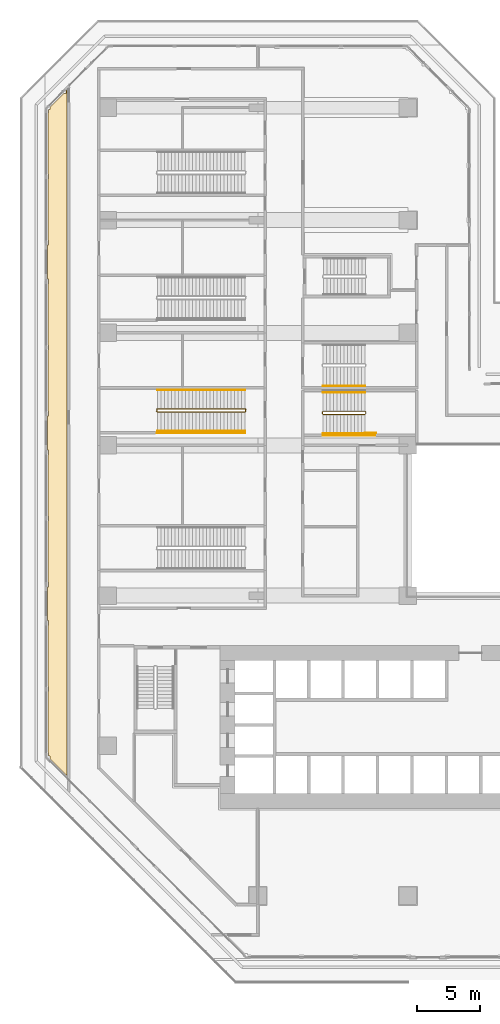
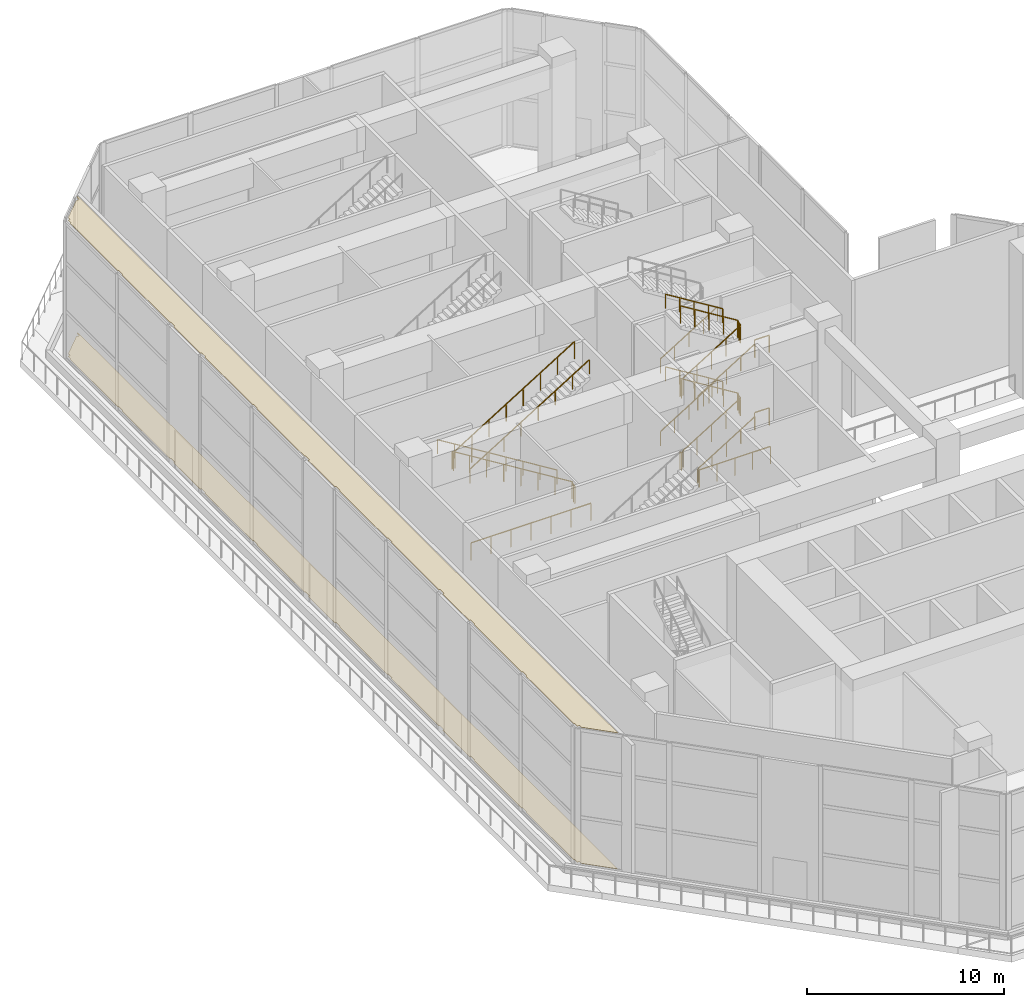
# One storey, part 25 of 28: 14 railings, 2 coverings.
"""IFC4 building model written with IfcOpenShell, lengths in metres."""

from ifc_helpers import new_model, si_unit, direction, frame, origin, origin_2d, place, context, subcontext, project, spatial, polyline, rectangle, outline, extrude, material, layer, layer_set, type_object, element, save


model = new_model("IFC4")

# Units and contexts
model_context = context("Model", 3, precision=1e-05, world=origin(), true_north=direction((0.0, 1.0)))
body_context = subcontext(model_context, "Body", "Model", "MODEL_VIEW")
ifc_project = project(units=[si_unit("LENGTHUNIT", "METRE"), si_unit("AREAUNIT", "SQUARE_METRE"), si_unit("VOLUMEUNIT", "CUBIC_METRE"), si_unit("PLANEANGLEUNIT", "RADIAN"), si_unit("MASSUNIT", "GRAM", prefix="KILO")], contexts=[model_context])

# Site, building, storey
site_placement = place(None, origin())
site = spatial("IfcSite", under=ifc_project, at=site_placement, CompositionType="ELEMENT")
building_placement = place(site_placement, origin())
building = spatial("IfcBuilding", under=site, at=building_placement, Name="Chenar Terraces", CompositionType="ELEMENT")
storey_placement = place(building_placement, frame((0.0, 0.0, 26.39990234375)))
storey = spatial("IfcBuildingStorey", under=building, at=storey_placement, Name="L05", CompositionType="ELEMENT", Elevation=26.39990234375)

# Coverings
ifc_material_1 = material(Name="Mineral fibre acoustic ceiling board")
ifc_layer_1 = layer(ifc_material_1, 0.030029296875)
ifc_layer_set_1 = layer_set([ifc_layer_1], Name="Mineral fibre acoustic ceiling board")
covering_type_1 = type_object("IfcCoveringType", Name="Acoustic board ceiling 30", PredefinedType="CEILING", material=ifc_layer_set_1)
covering_1_placement = place(storey_placement, frame((0.0, 0.0, 8.420166015625)))
element("IfcCovering", 1, at=covering_1_placement, inside=storey, type_object=covering_type_1, Name="Acoustic ceiling", PredefinedType="CEILING", context=body_context, shape_type="SweptSolid", body=[
    extrude(outline(polyline([(-4.800048828125, 24.707763671875), (-4.72509765625, 24.707763671875), (-4.72509765625, 25.107666015625), (-4.77490234375, 25.107666015625), (-4.77490234375, 29.97509765625), (-4.72509765625, 29.97509765625), (-4.72509765625, 30.375), (-4.77490234375, 30.375), (-4.77490234375, 35.242431640625), (-4.72509765625, 35.242431640625), (-4.72509765625, 35.642578125), (-4.800048828125, 35.642578125), (-4.800048828125, 38.357421875), (-4.72509765625, 38.357421875), (-4.72509765625, 38.757568359375), (-4.77490234375, 38.757568359375), (-4.77490234375, 43.625), (-4.72509765625, 43.625), (-4.72509765625, 44.02490234375), (-4.77490234375, 44.02490234375), (-4.77490234375, 48.892333984375), (-4.72509765625, 48.892333984375), (-4.72509765625, 49.292236328125), (-4.800048828125, 49.292236328125), (-4.800048828125, 52.00732421875), (-4.72509765625, 52.00732421875), (-4.72509765625, 52.4072265625), (-4.77490234375, 52.4072265625), (-4.77490234375, 57.281005859375), (-4.72509765625, 57.281005859375), (-4.72509765625, 57.680908203125), (-4.77490234375, 57.680908203125), (-4.77490234375, 62.5546875), (-4.72509765625, 62.5546875), (-4.72509765625, 62.83447265625), (-4.609130859375, 62.83447265625), (-4.609130859375, 63.0224609375), (-3.510986328125, 64.120361328125), (-3.3232421875, 64.120361328125), (-3.3232421875, 64.34375), (-3.25, 64.416748046875), (-3.25, 9.618408203125), (-4.609130859375, 10.9775390625), (-4.609130859375, 11.16552734375), (-4.72509765625, 11.16552734375), (-4.72509765625, 11.4453125), (-4.77490234375, 11.4453125), (-4.77490234375, 16.319091796875), (-4.72509765625, 16.319091796875), (-4.72509765625, 16.718994140625), (-4.77490234375, 16.718994140625), (-4.77490234375, 21.5927734375), (-4.72509765625, 21.5927734375), (-4.72509765625, 21.99267578125), (-4.800048828125, 21.99267578125), (-4.800048828125, 24.707763671875)])), origin(), (0.0, 0.0, 1.0), 0.030029296875),
])
ifc_material_2 = material(Name="Honed limestone floor finish", Category="masonry")
ifc_layer_2 = layer(ifc_material_2, 0.02001953125)
ifc_layer_set_2 = layer_set([ifc_layer_2], Name="Honed limestone floor finish")
covering_type_2 = type_object("IfcCoveringType", Name="Limestone floor finish 20", PredefinedType="FLOORING", material=ifc_layer_set_2)
covering_2_placement = place(storey_placement, origin())
element("IfcCovering", 2, at=covering_2_placement, inside=storey, type_object=covering_type_2, Name="Limestone floor finish", PredefinedType="FLOORING", context=body_context, shape_type="SweptSolid", body=[
    extrude(outline(polyline([(-4.800048828125, 24.707763671875), (-4.72509765625, 24.707763671875), (-4.72509765625, 25.107666015625), (-4.77490234375, 25.107666015625), (-4.77490234375, 29.97509765625), (-4.72509765625, 29.97509765625), (-4.72509765625, 30.375), (-4.77490234375, 30.375), (-4.77490234375, 35.242431640625), (-4.72509765625, 35.242431640625), (-4.72509765625, 35.642578125), (-4.800048828125, 35.642578125), (-4.800048828125, 38.357421875), (-4.72509765625, 38.357421875), (-4.72509765625, 38.757568359375), (-4.77490234375, 38.757568359375), (-4.77490234375, 43.625), (-4.72509765625, 43.625), (-4.72509765625, 44.02490234375), (-4.77490234375, 44.02490234375), (-4.77490234375, 48.892333984375), (-4.72509765625, 48.892333984375), (-4.72509765625, 49.292236328125), (-4.800048828125, 49.292236328125), (-4.800048828125, 52.00732421875), (-4.72509765625, 52.00732421875), (-4.72509765625, 52.4072265625), (-4.77490234375, 52.4072265625), (-4.77490234375, 57.281005859375), (-4.72509765625, 57.281005859375), (-4.72509765625, 57.680908203125), (-4.77490234375, 57.680908203125), (-4.77490234375, 62.5546875), (-4.72509765625, 62.5546875), (-4.72509765625, 62.83447265625), (-4.609130859375, 62.83447265625), (-4.609130859375, 63.0224609375), (-3.510986328125, 64.120361328125), (-3.3232421875, 64.120361328125), (-3.3232421875, 64.34375), (-3.25, 64.416748046875), (-3.25, 9.618408203125), (-4.609130859375, 10.9775390625), (-4.609130859375, 11.16552734375), (-4.72509765625, 11.16552734375), (-4.72509765625, 11.4453125), (-4.77490234375, 11.4453125), (-4.77490234375, 16.319091796875), (-4.72509765625, 16.319091796875), (-4.72509765625, 16.718994140625), (-4.77490234375, 16.718994140625), (-4.77490234375, 21.5927734375), (-4.72509765625, 21.5927734375), (-4.72509765625, 21.99267578125), (-4.800048828125, 21.99267578125), (-4.800048828125, 24.707763671875)])), origin(), (0.0, 0.0, 1.0), 0.02001953125),
])

# Railings
ifc_material_3 = material(Name="Powder-coated steel", Category="steel")
railing_type_1 = type_object("IfcRailingType", Name="Stair guard 1100", PredefinedType="GUARDRAIL", material=ifc_material_3)
railing_1_placement = place(storey_placement, frame((17.215087890625, 38.72509765625, 9.0)))
element("IfcRailing", 3, at=railing_1_placement, inside=storey, type_object=railing_type_1, Name="L05 PS7 stair guard 1", PredefinedType="GUARDRAIL", context=body_context, shape_type="SweptSolid", body=[
    extrude(rectangle(XDim=0.048095703125, YDim=0.048095703125, at=origin_2d()), frame((0.0, 0.0, 1.076171875), z_axis=(0.850606129759, 0.0, -0.525803396734), x_axis=(0.0, 1.0, 0.0)), (0.0, 0.0, 1.0), 3.949951171875),
    extrude(rectangle(XDim=0.048095703125, YDim=0.048095703125, at=origin_2d()), frame((3.35986328125, 0.0, -1.0009765625), z_axis=(0.267629722418, -0.267629722418, -0.925607186314), x_axis=(0.707106781187, 0.707106781187, 0.0)), (0.0, 0.0, 1.0), 0.18701171875),
    extrude(rectangle(XDim=0.048095703125, YDim=0.048095703125, at=origin_2d()), frame((3.409912109375, -0.050048828125, -1.173828125), z_axis=(0.0, -1.0, 0.0), x_axis=(1.0, 0.0, 0.0)), (0.0, 0.0, 1.0), 0.150146484375),
    extrude(rectangle(XDim=0.048095703125, YDim=0.048095703125, at=origin_2d()), frame((3.409912109375, -0.2001953125, -1.173828125), z_axis=(-0.708833529934, -0.705375805398, 0.0), x_axis=(0.705375805398, -0.708833529934, 0.0)), (0.0, 0.0, 1.0), 0.070556640625),
    extrude(rectangle(XDim=0.048095703125, YDim=0.048095703125, at=origin_2d()), frame((3.35986328125, -0.25, -1.173828125), z_axis=(-0.850606129759, 0.0, -0.525803396734), x_axis=(0.0, -1.0, 0.0)), (0.0, 0.0, 1.0), 3.949951171875),
    extrude(rectangle(XDim=0.048095703125, YDim=0.048095703125, at=origin_2d()), frame((0.0, -0.25, -3.2509765625), z_axis=(-0.185944045274, 0.742869136974, -0.643094283413), x_axis=(-0.970072785993, -0.242814311512, 0.0)), (0.0, 0.0, 1.0), 0.26904296875),
    extrude(rectangle(XDim=0.048095703125, YDim=0.048095703125, at=origin_2d()), frame((-0.050048828125, -0.050048828125, -3.423828125), z_axis=(0.0, -1.0, 0.0), x_axis=(1.0, 0.0, 0.0)), (0.0, 0.0, 1.0), 0.150146484375),
    extrude(rectangle(XDim=0.048095703125, YDim=0.048095703125, at=origin_2d()), frame((-0.050048828125, -0.2001953125, -3.423828125), z_axis=(0.242535625036, 0.970142500145, 0.0), x_axis=(-0.970142500145, 0.242535625036, 0.0)), (0.0, 0.0, 1.0), 0.206298828125),
    extrude(rectangle(XDim=0.048095703125, YDim=0.048095703125, at=origin_2d()), frame((0.0, 0.0, -3.423828125), z_axis=(0.850606129759, 0.0, -0.525803396734), x_axis=(0.0, 1.0, 0.0)), (0.0, 0.0, 1.0), 3.949951171875),
    extrude(rectangle(XDim=0.048095703125, YDim=0.048095703125, at=origin_2d()), frame((3.35986328125, 0.0, -5.5009765625), z_axis=(0.267629722418, -0.267629722418, -0.925607186314), x_axis=(0.707106781187, 0.707106781187, 0.0)), (0.0, 0.0, 1.0), 0.18701171875),
    extrude(rectangle(XDim=0.048095703125, YDim=0.048095703125, at=origin_2d()), frame((3.409912109375, -0.050048828125, -5.673828125), z_axis=(0.0, -1.0, 0.0), x_axis=(1.0, 0.0, 0.0)), (0.0, 0.0, 1.0), 0.150146484375),
    extrude(rectangle(XDim=0.048095703125, YDim=0.048095703125, at=origin_2d()), frame((3.409912109375, -0.2001953125, -5.673828125), z_axis=(-0.708833529934, -0.705375805398, 0.0), x_axis=(0.705375805398, -0.708833529934, 0.0)), (0.0, 0.0, 1.0), 0.070556640625),
    extrude(rectangle(XDim=0.048095703125, YDim=0.048095703125, at=origin_2d()), frame((3.35986328125, -0.25, -5.673828125), z_axis=(-0.850606129759, 0.0, -0.525803396734), x_axis=(0.0, -1.0, 0.0)), (0.0, 0.0, 1.0), 3.949951171875),
    extrude(rectangle(XDim=0.048095703125, YDim=0.048095703125, at=origin_2d()), frame((0.0, -0.25, -7.7509765625), z_axis=(-0.267723051232, 0.266417085129, -0.925929967433), x_axis=(-0.705375805398, -0.708833529934, 0.0)), (0.0, 0.0, 1.0), 0.18701171875),
    extrude(rectangle(XDim=0.048095703125, YDim=0.048095703125, at=origin_2d()), frame((-0.050048828125, -0.2001953125, -7.923828125), z_axis=(0.0, 1.0, 0.0), x_axis=(-1.0, 0.0, 0.0)), (0.0, 0.0, 1.0), 0.150146484375),
    extrude(rectangle(XDim=0.0419921875, YDim=0.0419921875, at=origin_2d()), origin(), (0.0, 0.0, 1.0), 1.052001953125),
    extrude(rectangle(XDim=0.0419921875, YDim=0.0419921875, at=origin_2d()), frame((0.83984375, 0.0, -0.519287109375)), (0.0, 0.0, 1.0), 1.052001953125),
    extrude(rectangle(XDim=0.0419921875, YDim=0.0419921875, at=origin_2d()), frame((1.679931640625, 0.0, -1.03857421875)), (0.0, 0.0, 1.0), 1.052001953125),
    extrude(rectangle(XDim=0.0419921875, YDim=0.0419921875, at=origin_2d()), frame((2.52001953125, 0.0, -1.5576171875)), (0.0, 0.0, 1.0), 1.052001953125),
    extrude(rectangle(XDim=0.0419921875, YDim=0.0419921875, at=origin_2d()), frame((3.35986328125, 0.0, -2.076904296875)), (0.0, 0.0, 1.0), 1.052001953125),
    extrude(rectangle(XDim=0.0419921875, YDim=0.0419921875, at=origin_2d()), frame((3.409912109375, -0.050048828125, -2.25)), (0.0, 0.0, 1.0), 1.052001953125),
    extrude(rectangle(XDim=0.0419921875, YDim=0.0419921875, at=origin_2d()), frame((3.409912109375, -0.2001953125, -2.25)), (0.0, 0.0, 1.0), 1.052001953125),
    extrude(rectangle(XDim=0.0419921875, YDim=0.0419921875, at=origin_2d()), frame((3.35986328125, -0.25, -2.25)), (0.0, 0.0, 1.0), 1.052001953125),
    extrude(rectangle(XDim=0.0419921875, YDim=0.0419921875, at=origin_2d()), frame((2.52001953125, -0.25, -2.769287109375)), (0.0, 0.0, 1.0), 1.052001953125),
    extrude(rectangle(XDim=0.0419921875, YDim=0.0419921875, at=origin_2d()), frame((1.679931640625, -0.25, -3.28857421875)), (0.0, 0.0, 1.0), 1.052001953125),
    extrude(rectangle(XDim=0.0419921875, YDim=0.0419921875, at=origin_2d()), frame((0.83984375, -0.25, -3.8076171875)), (0.0, 0.0, 1.0), 1.052001953125),
    extrude(rectangle(XDim=0.0419921875, YDim=0.0419921875, at=origin_2d()), frame((0.0, -0.25, -4.326904296875)), (0.0, 0.0, 1.0), 1.052001953125),
    extrude(rectangle(XDim=0.0419921875, YDim=0.0419921875, at=origin_2d()), frame((-0.050048828125, -0.050048828125, -4.5)), (0.0, 0.0, 1.0), 1.052001953125),
    extrude(rectangle(XDim=0.0419921875, YDim=0.0419921875, at=origin_2d()), frame((-0.050048828125, -0.2001953125, -4.5)), (0.0, 0.0, 1.0), 1.052001953125),
    extrude(rectangle(XDim=0.0419921875, YDim=0.0419921875, at=origin_2d()), frame((0.0, 0.0, -4.5)), (0.0, 0.0, 1.0), 1.052001953125),
    extrude(rectangle(XDim=0.0419921875, YDim=0.0419921875, at=origin_2d()), frame((0.83984375, 0.0, -5.019287109375)), (0.0, 0.0, 1.0), 1.052001953125),
    extrude(rectangle(XDim=0.0419921875, YDim=0.0419921875, at=origin_2d()), frame((1.679931640625, 0.0, -5.53857421875)), (0.0, 0.0, 1.0), 1.052001953125),
    extrude(rectangle(XDim=0.0419921875, YDim=0.0419921875, at=origin_2d()), frame((2.52001953125, 0.0, -6.0576171875)), (0.0, 0.0, 1.0), 1.052001953125),
    extrude(rectangle(XDim=0.0419921875, YDim=0.0419921875, at=origin_2d()), frame((3.35986328125, 0.0, -6.576904296875)), (0.0, 0.0, 1.0), 1.052001953125),
    extrude(rectangle(XDim=0.0419921875, YDim=0.0419921875, at=origin_2d()), frame((3.409912109375, -0.050048828125, -6.75)), (0.0, 0.0, 1.0), 1.052001953125),
    extrude(rectangle(XDim=0.0419921875, YDim=0.0419921875, at=origin_2d()), frame((3.409912109375, -0.2001953125, -6.75)), (0.0, 0.0, 1.0), 1.052001953125),
    extrude(rectangle(XDim=0.0419921875, YDim=0.0419921875, at=origin_2d()), frame((3.35986328125, -0.25, -6.75)), (0.0, 0.0, 1.0), 1.052001953125),
    extrude(rectangle(XDim=0.0419921875, YDim=0.0419921875, at=origin_2d()), frame((2.52001953125, -0.25, -7.269287109375)), (0.0, 0.0, 1.0), 1.052001953125),
    extrude(rectangle(XDim=0.0419921875, YDim=0.0419921875, at=origin_2d()), frame((1.679931640625, -0.25, -7.78857421875)), (0.0, 0.0, 1.0), 1.052001953125),
    extrude(rectangle(XDim=0.0419921875, YDim=0.0419921875, at=origin_2d()), frame((0.83984375, -0.25, -8.3076171875)), (0.0, 0.0, 1.0), 1.052001953125),
    extrude(rectangle(XDim=0.0419921875, YDim=0.0419921875, at=origin_2d()), frame((0.0, -0.25, -8.826904296875)), (0.0, 0.0, 1.0), 1.052001953125),
    extrude(rectangle(XDim=0.0419921875, YDim=0.0419921875, at=origin_2d()), frame((-0.050048828125, -0.2001953125, -9.0)), (0.0, 0.0, 1.0), 1.052001953125),
    extrude(rectangle(XDim=0.0419921875, YDim=0.0419921875, at=origin_2d()), frame((-0.050048828125, -0.050048828125, -9.0)), (0.0, 0.0, 1.0), 1.052001953125),
])
railing_2_placement = place(storey_placement, frame((10.985107421875, 38.675048828125, 9.0)))
element("IfcRailing", 4, at=railing_2_placement, inside=storey, type_object=railing_type_1, Name="L05 PS9 stair guard 1", PredefinedType="GUARDRAIL", context=body_context, shape_type="SweptSolid", body=[
    extrude(rectangle(XDim=0.048095703125, YDim=0.048095703125, at=origin_2d()), frame((0.0, 0.0, 1.076171875), z_axis=(-0.850614592968, 0.0, -0.525789705328), x_axis=(0.0, -1.0, 0.0)), (0.0, 0.0, 1.0), 8.229248046875),
    extrude(rectangle(XDim=0.048095703125, YDim=0.048095703125, at=origin_2d()), frame((-7.0, 0.0, -3.2509765625), z_axis=(-0.267629722418, 0.267629722418, -0.925607186314), x_axis=(-0.707106781187, -0.707106781187, 0.0)), (0.0, 0.0, 1.0), 0.18701171875),
    extrude(rectangle(XDim=0.048095703125, YDim=0.048095703125, at=origin_2d()), frame((-7.050048828125, 0.050048828125, -3.423828125), z_axis=(0.0, 1.0, 0.0), x_axis=(-1.0, 0.0, 0.0)), (0.0, 0.0, 1.0), 0.14990234375),
    extrude(rectangle(XDim=0.048095703125, YDim=0.048095703125, at=origin_2d()), frame((-7.050048828125, 0.199951171875, -3.423828125), z_axis=(0.707106781187, 0.707106781187, 0.0), x_axis=(-0.707106781187, 0.707106781187, 0.0)), (0.0, 0.0, 1.0), 0.07080078125),
    extrude(rectangle(XDim=0.048095703125, YDim=0.048095703125, at=origin_2d()), frame((-7.0, 0.25, -3.423828125), z_axis=(0.850614592968, 0.0, -0.525789705328), x_axis=(0.0, 1.0, 0.0)), (0.0, 0.0, 1.0), 8.229248046875),
    extrude(rectangle(XDim=0.048095703125, YDim=0.048095703125, at=origin_2d()), frame((0.0, 0.25, -7.7509765625), z_axis=(0.266417085129, -0.267723051232, -0.925929967433), x_axis=(0.708833529934, 0.705375805398, 0.0)), (0.0, 0.0, 1.0), 0.18701171875),
    extrude(rectangle(XDim=0.048095703125, YDim=0.048095703125, at=origin_2d()), frame((0.0498046875, 0.199951171875, -7.923828125), z_axis=(0.0, -1.0, 0.0), x_axis=(1.0, 0.0, 0.0)), (0.0, 0.0, 1.0), 0.14990234375),
    extrude(rectangle(XDim=0.0419921875, YDim=0.0419921875, at=origin_2d()), origin(), (0.0, 0.0, 1.0), 1.052001953125),
    extrude(rectangle(XDim=0.0419921875, YDim=0.0419921875, at=origin_2d()), frame((-1.0, 0.0, -0.6181640625)), (0.0, 0.0, 1.0), 1.052001953125),
    extrude(rectangle(XDim=0.0419921875, YDim=0.0419921875, at=origin_2d()), frame((-2.0, 0.0, -1.236328125)), (0.0, 0.0, 1.0), 1.052001953125),
    extrude(rectangle(XDim=0.0419921875, YDim=0.0419921875, at=origin_2d()), frame((-3.0, 0.0, -1.8544921875)), (0.0, 0.0, 1.0), 1.052001953125),
    extrude(rectangle(XDim=0.0419921875, YDim=0.0419921875, at=origin_2d()), frame((-4.0, 0.0, -2.472412109375)), (0.0, 0.0, 1.0), 1.052001953125),
    extrude(rectangle(XDim=0.0419921875, YDim=0.0419921875, at=origin_2d()), frame((-5.0, 0.0, -3.090576171875)), (0.0, 0.0, 1.0), 1.052001953125),
    extrude(rectangle(XDim=0.0419921875, YDim=0.0419921875, at=origin_2d()), frame((-6.0, 0.0, -3.708740234375)), (0.0, 0.0, 1.0), 1.052001953125),
    extrude(rectangle(XDim=0.0419921875, YDim=0.0419921875, at=origin_2d()), frame((-7.0, 0.0, -4.326904296875)), (0.0, 0.0, 1.0), 1.052001953125),
    extrude(rectangle(XDim=0.0419921875, YDim=0.0419921875, at=origin_2d()), frame((-7.050048828125, 0.050048828125, -4.5)), (0.0, 0.0, 1.0), 1.052001953125),
    extrude(rectangle(XDim=0.0419921875, YDim=0.0419921875, at=origin_2d()), frame((-7.050048828125, 0.199951171875, -4.5)), (0.0, 0.0, 1.0), 1.052001953125),
    extrude(rectangle(XDim=0.0419921875, YDim=0.0419921875, at=origin_2d()), frame((-7.0, 0.25, -4.5)), (0.0, 0.0, 1.0), 1.052001953125),
    extrude(rectangle(XDim=0.0419921875, YDim=0.0419921875, at=origin_2d()), frame((-6.0, 0.25, -5.1181640625)), (0.0, 0.0, 1.0), 1.052001953125),
    extrude(rectangle(XDim=0.0419921875, YDim=0.0419921875, at=origin_2d()), frame((-5.0, 0.25, -5.736328125)), (0.0, 0.0, 1.0), 1.052001953125),
    extrude(rectangle(XDim=0.0419921875, YDim=0.0419921875, at=origin_2d()), frame((-4.0, 0.25, -6.3544921875)), (0.0, 0.0, 1.0), 1.052001953125),
    extrude(rectangle(XDim=0.0419921875, YDim=0.0419921875, at=origin_2d()), frame((-3.0, 0.25, -6.972412109375)), (0.0, 0.0, 1.0), 1.052001953125),
    extrude(rectangle(XDim=0.0419921875, YDim=0.0419921875, at=origin_2d()), frame((-2.0, 0.25, -7.590576171875)), (0.0, 0.0, 1.0), 1.052001953125),
    extrude(rectangle(XDim=0.0419921875, YDim=0.0419921875, at=origin_2d()), frame((-1.0, 0.25, -8.208740234375)), (0.0, 0.0, 1.0), 1.052001953125),
    extrude(rectangle(XDim=0.0419921875, YDim=0.0419921875, at=origin_2d()), frame((0.0, 0.25, -8.826904296875)), (0.0, 0.0, 1.0), 1.052001953125),
    extrude(rectangle(XDim=0.0419921875, YDim=0.0419921875, at=origin_2d()), frame((0.0498046875, 0.199951171875, -9.0)), (0.0, 0.0, 1.0), 1.052001953125),
    extrude(rectangle(XDim=0.0419921875, YDim=0.0419921875, at=origin_2d()), frame((0.0498046875, 0.050048828125, -9.0)), (0.0, 0.0, 1.0), 1.052001953125),
])
railing_3_placement = place(storey_placement, frame((17.215087890625, 36.81005859375, 0.0)))
element("IfcRailing", 5, at=railing_3_placement, inside=storey, type_object=railing_type_1, Name="L05 PS7 stair guard 101", PredefinedType="GUARDRAIL", context=body_context, shape_type="SweptSolid", body=[
    extrude(rectangle(XDim=0.048095703125, YDim=0.048095703125, at=origin_2d()), frame((0.0, 0.0, 1.076171875), z_axis=(1.0, 0.0, 0.0), x_axis=(0.0, 1.0, 0.0)), (0.0, 0.0, 1.0), 4.169189453125),
    extrude(rectangle(XDim=0.0419921875, YDim=0.0419921875, at=origin_2d()), origin(), (0.0, 0.0, 1.0), 1.052001953125),
    extrude(rectangle(XDim=0.0419921875, YDim=0.0419921875, at=origin_2d()), frame((1.042236328125, 0.0, 0.0)), (0.0, 0.0, 1.0), 1.052001953125),
    extrude(rectangle(XDim=0.0419921875, YDim=0.0419921875, at=origin_2d()), frame((2.08447265625, 0.0, 0.0)), (0.0, 0.0, 1.0), 1.052001953125),
    extrude(rectangle(XDim=0.0419921875, YDim=0.0419921875, at=origin_2d()), frame((3.126953125, 0.0, 0.0)), (0.0, 0.0, 1.0), 1.052001953125),
    extrude(rectangle(XDim=0.0419921875, YDim=0.0419921875, at=origin_2d()), frame((4.169189453125, 0.0, 0.0)), (0.0, 0.0, 1.0), 1.052001953125),
])
railing_4_placement = place(storey_placement, frame((3.964111328125, 37.010009765625, 0.0)))
element("IfcRailing", 6, at=railing_4_placement, inside=storey, type_object=railing_type_1, Name="L05 PS9 stair guard 101", PredefinedType="GUARDRAIL", context=body_context, shape_type="SweptSolid", body=[
    extrude(rectangle(XDim=0.048095703125, YDim=0.048095703125, at=origin_2d()), frame((0.0, 0.0, 1.076171875), z_axis=(1.0, 0.0, 0.0), x_axis=(0.0, 1.0, 0.0)), (0.0, 0.0, 1.0), 7.02099609375),
    extrude(rectangle(XDim=0.0419921875, YDim=0.0419921875, at=origin_2d()), origin(), (0.0, 0.0, 1.0), 1.052001953125),
    extrude(rectangle(XDim=0.0419921875, YDim=0.0419921875, at=origin_2d()), frame((1.170166015625, 0.0, 0.0)), (0.0, 0.0, 1.0), 1.052001953125),
    extrude(rectangle(XDim=0.0419921875, YDim=0.0419921875, at=origin_2d()), frame((2.34033203125, 0.0, 0.0)), (0.0, 0.0, 1.0), 1.052001953125),
    extrude(rectangle(XDim=0.0419921875, YDim=0.0419921875, at=origin_2d()), frame((3.510498046875, 0.0, 0.0)), (0.0, 0.0, 1.0), 1.052001953125),
    extrude(rectangle(XDim=0.0419921875, YDim=0.0419921875, at=origin_2d()), frame((4.6806640625, 0.0, 0.0)), (0.0, 0.0, 1.0), 1.052001953125),
    extrude(rectangle(XDim=0.0419921875, YDim=0.0419921875, at=origin_2d()), frame((5.850830078125, 0.0, 0.0)), (0.0, 0.0, 1.0), 1.052001953125),
    extrude(rectangle(XDim=0.0419921875, YDim=0.0419921875, at=origin_2d()), frame((7.02099609375, 0.0, 0.0)), (0.0, 0.0, 1.0), 1.052001953125),
])
for number, where, name in (
    (7, (20.574951171875, 37.010009765625, 2.25), "L05 PS7 stair guard 201"),
    (8, (20.574951171875, 37.010009765625, 6.75), "L05 PS7 stair guard 202"),
):
    element("IfcRailing", number, at=place(storey_placement, frame(where)), inside=storey, type_object=railing_type_1, Name=name, PredefinedType="GUARDRAIL", context=body_context, shape_type="SweptSolid", body=[
        extrude(rectangle(XDim=0.048095703125, YDim=0.048095703125, at=origin_2d()), frame((0.0, 0.0, 1.076171875), z_axis=(1.0, 0.0, 0.0), x_axis=(0.0, 1.0, 0.0)), (0.0, 0.0, 1.0), 0.85498046875),
        extrude(rectangle(XDim=0.0419921875, YDim=0.0419921875, at=origin_2d()), origin(), (0.0, 0.0, 1.0), 1.052001953125),
        extrude(rectangle(XDim=0.0419921875, YDim=0.0419921875, at=origin_2d()), frame((0.85498046875, 0.0, 0.0)), (0.0, 0.0, 1.0), 1.052001953125),
    ])
ifc_material_4 = material(Name="Powder-coated steel", Category="steel")
railing_type_2 = type_object("IfcRailingType", Name="Stair handrail 900", PredefinedType="HANDRAIL", material=ifc_material_4)
railing_5_placement = place(storey_placement, frame((17.215087890625, 36.9599609375, 0.173095703125)))
element("IfcRailing", 9, at=railing_5_placement, inside=storey, type_object=railing_type_2, Name="L05 PS7 stair handrail 1", PredefinedType="HANDRAIL", context=body_context, shape_type="SweptSolid", body=[
    extrude(rectangle(XDim=0.048095703125, YDim=0.048095703125, at=origin_2d()), frame((0.0, 0.0, 0.8759765625), z_axis=(0.850606129759, 0.0, 0.525803396734), x_axis=(0.0, 1.0, 0.0)), (0.0, 0.0, 1.0), 3.949951171875),
    extrude(rectangle(XDim=0.0419921875, YDim=0.0419921875, at=origin_2d()), origin(), (0.0, 0.0, 1.0), 0.851806640625),
    extrude(rectangle(XDim=0.0419921875, YDim=0.0419921875, at=origin_2d()), frame((0.83984375, 0.0, 0.519287109375)), (0.0, 0.0, 1.0), 0.851806640625),
    extrude(rectangle(XDim=0.0419921875, YDim=0.0419921875, at=origin_2d()), frame((1.679931640625, 0.0, 1.03857421875)), (0.0, 0.0, 1.0), 0.851806640625),
    extrude(rectangle(XDim=0.0419921875, YDim=0.0419921875, at=origin_2d()), frame((2.52001953125, 0.0, 1.5576171875)), (0.0, 0.0, 1.0), 0.851806640625),
    extrude(rectangle(XDim=0.0419921875, YDim=0.0419921875, at=origin_2d()), frame((3.35986328125, 0.0, 2.076904296875)), (0.0, 0.0, 1.0), 0.851806640625),
])
railing_6_placement = place(storey_placement, frame((20.574951171875, 40.239990234375, 2.423095703125)))
element("IfcRailing", 10, at=railing_6_placement, inside=storey, type_object=railing_type_2, Name="L05 PS7 stair handrail 2", PredefinedType="HANDRAIL", context=body_context, shape_type="SweptSolid", body=[
    extrude(rectangle(XDim=0.048095703125, YDim=0.048095703125, at=origin_2d()), frame((0.0, 0.0, 0.8759765625), z_axis=(-0.850606129759, 0.0, 0.525803396734), x_axis=(0.0, -1.0, 0.0)), (0.0, 0.0, 1.0), 3.949951171875),
    extrude(rectangle(XDim=0.0419921875, YDim=0.0419921875, at=origin_2d()), origin(), (0.0, 0.0, 1.0), 0.851806640625),
    extrude(rectangle(XDim=0.0419921875, YDim=0.0419921875, at=origin_2d()), frame((-0.83984375, 0.0, 0.519287109375)), (0.0, 0.0, 1.0), 0.851806640625),
    extrude(rectangle(XDim=0.0419921875, YDim=0.0419921875, at=origin_2d()), frame((-1.679931640625, 0.0, 1.03857421875)), (0.0, 0.0, 1.0), 0.851806640625),
    extrude(rectangle(XDim=0.0419921875, YDim=0.0419921875, at=origin_2d()), frame((-2.52001953125, 0.0, 1.5576171875)), (0.0, 0.0, 1.0), 0.851806640625),
    extrude(rectangle(XDim=0.0419921875, YDim=0.0419921875, at=origin_2d()), frame((-3.35986328125, 0.0, 2.076904296875)), (0.0, 0.0, 1.0), 0.851806640625),
])
railing_7_placement = place(storey_placement, frame((17.215087890625, 36.9599609375, 4.673095703125)))
element("IfcRailing", 11, at=railing_7_placement, inside=storey, type_object=railing_type_2, Name="L05 PS7 stair handrail 3", PredefinedType="HANDRAIL", context=body_context, shape_type="SweptSolid", body=[
    extrude(rectangle(XDim=0.048095703125, YDim=0.048095703125, at=origin_2d()), frame((0.0, 0.0, 0.8759765625), z_axis=(0.850606129759, 0.0, 0.525803396734), x_axis=(0.0, 1.0, 0.0)), (0.0, 0.0, 1.0), 3.949951171875),
    extrude(rectangle(XDim=0.0419921875, YDim=0.0419921875, at=origin_2d()), origin(), (0.0, 0.0, 1.0), 0.851806640625),
    extrude(rectangle(XDim=0.0419921875, YDim=0.0419921875, at=origin_2d()), frame((0.83984375, 0.0, 0.519287109375)), (0.0, 0.0, 1.0), 0.851806640625),
    extrude(rectangle(XDim=0.0419921875, YDim=0.0419921875, at=origin_2d()), frame((1.679931640625, 0.0, 1.03857421875)), (0.0, 0.0, 1.0), 0.851806640625),
    extrude(rectangle(XDim=0.0419921875, YDim=0.0419921875, at=origin_2d()), frame((2.52001953125, 0.0, 1.5576171875)), (0.0, 0.0, 1.0), 0.851806640625),
    extrude(rectangle(XDim=0.0419921875, YDim=0.0419921875, at=origin_2d()), frame((3.35986328125, 0.0, 2.076904296875)), (0.0, 0.0, 1.0), 0.851806640625),
])
railing_8_placement = place(storey_placement, frame((20.574951171875, 40.239990234375, 6.923095703125)))
element("IfcRailing", 12, at=railing_8_placement, inside=storey, type_object=railing_type_2, Name="L05 PS7 stair handrail 4", PredefinedType="HANDRAIL", context=body_context, shape_type="SweptSolid", body=[
    extrude(rectangle(XDim=0.048095703125, YDim=0.048095703125, at=origin_2d()), frame((0.0, 0.0, 0.8759765625), z_axis=(-0.850606129759, 0.0, 0.525803396734), x_axis=(0.0, -1.0, 0.0)), (0.0, 0.0, 1.0), 3.949951171875),
    extrude(rectangle(XDim=0.0419921875, YDim=0.0419921875, at=origin_2d()), origin(), (0.0, 0.0, 1.0), 0.851806640625),
    extrude(rectangle(XDim=0.0419921875, YDim=0.0419921875, at=origin_2d()), frame((-0.83984375, 0.0, 0.519287109375)), (0.0, 0.0, 1.0), 0.851806640625),
    extrude(rectangle(XDim=0.0419921875, YDim=0.0419921875, at=origin_2d()), frame((-1.679931640625, 0.0, 1.03857421875)), (0.0, 0.0, 1.0), 0.851806640625),
    extrude(rectangle(XDim=0.0419921875, YDim=0.0419921875, at=origin_2d()), frame((-2.52001953125, 0.0, 1.5576171875)), (0.0, 0.0, 1.0), 0.851806640625),
    extrude(rectangle(XDim=0.0419921875, YDim=0.0419921875, at=origin_2d()), frame((-3.35986328125, 0.0, 2.076904296875)), (0.0, 0.0, 1.0), 0.851806640625),
])
for number, where, name in (
    (13, (17.215087890625, 40.760009765625, 0.173095703125), "L05 PS8 stair handrail 1"),
    (14, (17.215087890625, 40.760009765625, 4.673095703125), "L05 PS8 stair handrail 3"),
):
    element("IfcRailing", number, at=place(storey_placement, frame(where)), inside=storey, type_object=railing_type_2, Name=name, PredefinedType="HANDRAIL", context=body_context, shape_type="SweptSolid", body=[
        extrude(rectangle(XDim=0.048095703125, YDim=0.048095703125, at=origin_2d()), frame((0.0, 0.0, 0.8759765625), z_axis=(0.850606129759, 0.0, 0.525803396734), x_axis=(0.0, 1.0, 0.0)), (0.0, 0.0, 1.0), 3.949951171875),
        extrude(rectangle(XDim=0.0419921875, YDim=0.0419921875, at=origin_2d()), origin(), (0.0, 0.0, 1.0), 0.851806640625),
        extrude(rectangle(XDim=0.0419921875, YDim=0.0419921875, at=origin_2d()), frame((0.83984375, 0.0, 0.519287109375)), (0.0, 0.0, 1.0), 0.851806640625),
        extrude(rectangle(XDim=0.0419921875, YDim=0.0419921875, at=origin_2d()), frame((1.679931640625, 0.0, 1.03857421875)), (0.0, 0.0, 1.0), 0.851806640625),
        extrude(rectangle(XDim=0.0419921875, YDim=0.0419921875, at=origin_2d()), frame((2.52001953125, 0.0, 1.5576171875)), (0.0, 0.0, 1.0), 0.851806640625),
        extrude(rectangle(XDim=0.0419921875, YDim=0.0419921875, at=origin_2d()), frame((3.35986328125, 0.0, 2.076904296875)), (0.0, 0.0, 1.0), 0.851806640625),
    ])
railing_9_placement = place(storey_placement, frame((10.985107421875, 40.43994140625, 0.173095703125)))
element("IfcRailing", 15, at=railing_9_placement, inside=storey, type_object=railing_type_2, Name="L05 PS9 stair handrail 1", PredefinedType="HANDRAIL", context=body_context, shape_type="SweptSolid", body=[
    extrude(rectangle(XDim=0.048095703125, YDim=0.048095703125, at=origin_2d()), frame((0.0, 0.0, 0.8759765625), z_axis=(-0.850614592968, 0.0, 0.525789705328), x_axis=(0.0, -1.0, 0.0)), (0.0, 0.0, 1.0), 8.229248046875),
    extrude(rectangle(XDim=0.0419921875, YDim=0.0419921875, at=origin_2d()), origin(), (0.0, 0.0, 1.0), 0.851806640625),
    extrude(rectangle(XDim=0.0419921875, YDim=0.0419921875, at=origin_2d()), frame((-1.0, 0.0, 0.6181640625)), (0.0, 0.0, 1.0), 0.851806640625),
    extrude(rectangle(XDim=0.0419921875, YDim=0.0419921875, at=origin_2d()), frame((-2.0, 0.0, 1.236328125)), (0.0, 0.0, 1.0), 0.851806640625),
    extrude(rectangle(XDim=0.0419921875, YDim=0.0419921875, at=origin_2d()), frame((-3.0, 0.0, 1.8544921875)), (0.0, 0.0, 1.0), 0.851806640625),
    extrude(rectangle(XDim=0.0419921875, YDim=0.0419921875, at=origin_2d()), frame((-4.0, 0.0, 2.472412109375)), (0.0, 0.0, 1.0), 0.851806640625),
    extrude(rectangle(XDim=0.0419921875, YDim=0.0419921875, at=origin_2d()), frame((-5.0, 0.0, 3.090576171875)), (0.0, 0.0, 1.0), 0.851806640625),
    extrude(rectangle(XDim=0.0419921875, YDim=0.0419921875, at=origin_2d()), frame((-6.0, 0.0, 3.708740234375)), (0.0, 0.0, 1.0), 0.851806640625),
    extrude(rectangle(XDim=0.0419921875, YDim=0.0419921875, at=origin_2d()), frame((-7.0, 0.0, 4.326904296875)), (0.0, 0.0, 1.0), 0.851806640625),
])
railing_10_placement = place(storey_placement, frame((3.985107421875, 37.159912109375, 4.673095703125)))
element("IfcRailing", 16, at=railing_10_placement, inside=storey, type_object=railing_type_2, Name="L05 PS9 stair handrail 2", PredefinedType="HANDRAIL", context=body_context, shape_type="SweptSolid", body=[
    extrude(rectangle(XDim=0.048095703125, YDim=0.048095703125, at=origin_2d()), frame((0.0, 0.0, 0.8759765625), z_axis=(0.850614592968, 0.0, 0.525789705328), x_axis=(0.0, 1.0, 0.0)), (0.0, 0.0, 1.0), 8.229248046875),
    extrude(rectangle(XDim=0.0419921875, YDim=0.0419921875, at=origin_2d()), origin(), (0.0, 0.0, 1.0), 0.851806640625),
    extrude(rectangle(XDim=0.0419921875, YDim=0.0419921875, at=origin_2d()), frame((1.0, 0.0, 0.6181640625)), (0.0, 0.0, 1.0), 0.851806640625),
    extrude(rectangle(XDim=0.0419921875, YDim=0.0419921875, at=origin_2d()), frame((2.0, 0.0, 1.236328125)), (0.0, 0.0, 1.0), 0.851806640625),
    extrude(rectangle(XDim=0.0419921875, YDim=0.0419921875, at=origin_2d()), frame((3.0, 0.0, 1.8544921875)), (0.0, 0.0, 1.0), 0.851806640625),
    extrude(rectangle(XDim=0.0419921875, YDim=0.0419921875, at=origin_2d()), frame((4.0, 0.0, 2.472412109375)), (0.0, 0.0, 1.0), 0.851806640625),
    extrude(rectangle(XDim=0.0419921875, YDim=0.0419921875, at=origin_2d()), frame((5.0, 0.0, 3.090576171875)), (0.0, 0.0, 1.0), 0.851806640625),
    extrude(rectangle(XDim=0.0419921875, YDim=0.0419921875, at=origin_2d()), frame((6.0, 0.0, 3.708740234375)), (0.0, 0.0, 1.0), 0.851806640625),
    extrude(rectangle(XDim=0.0419921875, YDim=0.0419921875, at=origin_2d()), frame((7.0, 0.0, 4.326904296875)), (0.0, 0.0, 1.0), 0.851806640625),
])

save(model, "model.ifc")
